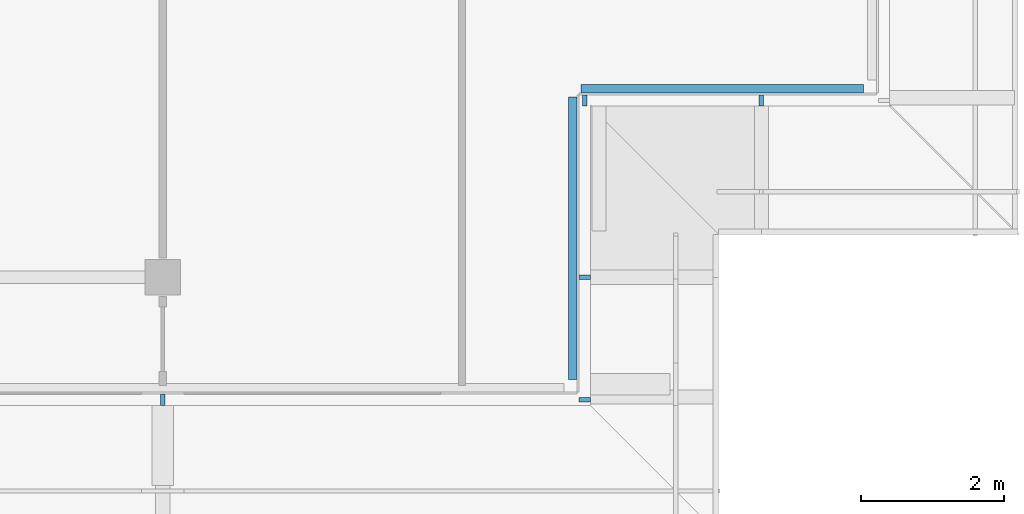
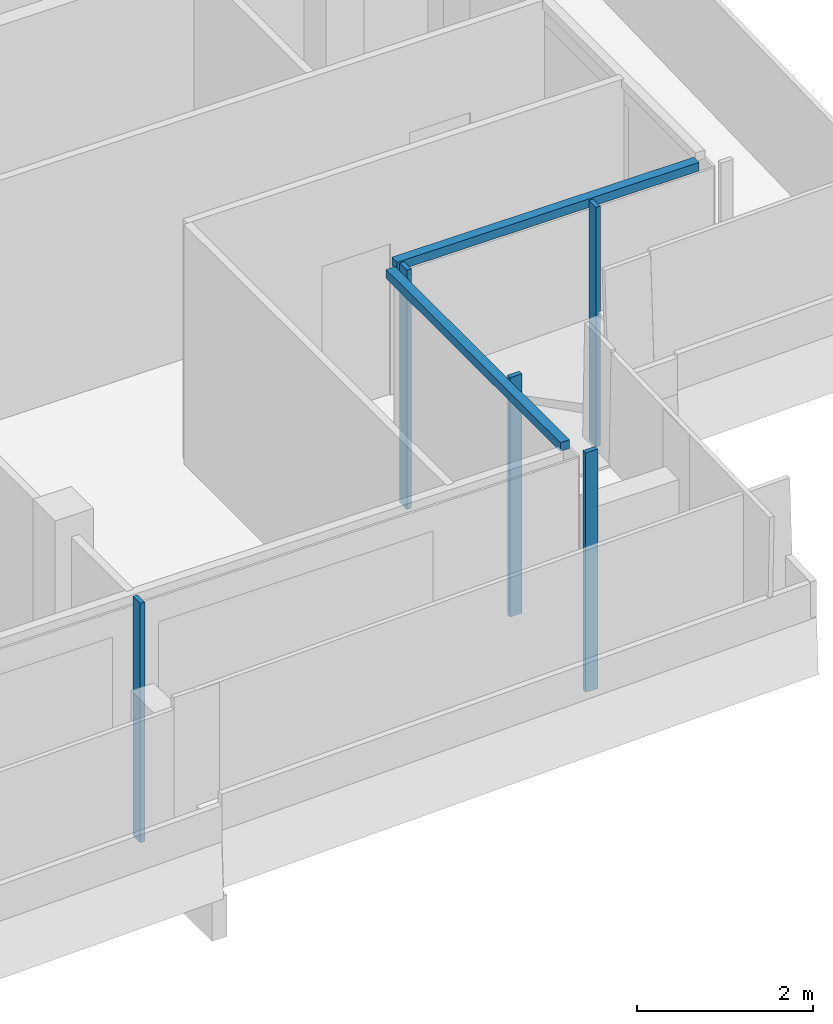
# One storey, part 6 of 26: 7 members, 3 elements without a shape of their own.
"""IFC4 building model written with IfcOpenShell, lengths in metres."""

import ifcopenshell
import ifcopenshell.guid

model = None  # the IFC model being written
_history = None  # IfcOwnerHistory: only IFC2X3 demands one
_inside = {}  # id of a spatial element -> (the spatial element, [elements in it])
_under = {}  # id of a project, library or spatial element -> (it, [spatial elements below it])
_declared = {}  # id of a project -> (the project, [libraries it declares])
_typed = {}  # id of a type object -> (the type object, [elements of that type])
_made_of = {}  # id of a material, layer set ... -> (it, [elements and type objects made of it])


def new_model(schema):
    """Start an empty IFC model of exactly this schema.

    Asked for "IFC4X3", IfcOpenShell would pick the latest addendum, in which some entities
    have other attributes; the version numbers below select the first issue.
    IFC2X3 requires an IfcOwnerHistory on every rooted entity: one is made here for all.
    """
    global model, _history
    if schema == "IFC4X3":
        model = ifcopenshell.file(schema_version=(4, 3, 0, 0))
    else:
        model = ifcopenshell.file(schema=schema)
    _inside.clear()
    _under.clear()
    _declared.clear()
    _typed.clear()
    _made_of.clear()
    _history = None
    if model.schema == "IFC2X3":
        org = make("IfcOrganization", Name="unknown")
        user = make(
            "IfcPersonAndOrganization",
            ThePerson=make("IfcPerson", FamilyName="unknown"),
            TheOrganization=org,
        )
        app = make(
            "IfcApplication",
            ApplicationDeveloper=org,
            Version="unknown",
            ApplicationFullName="unknown",
            ApplicationIdentifier="unknown",
        )
        _history = make(
            "IfcOwnerHistory",
            OwningUser=user,
            OwningApplication=app,
            ChangeAction="ADDED",
            CreationDate=0,
        )
    return model


def make(cls, **values):
    """One entity of the class cls with the attributes given. An attribute that is None is left unset."""
    return model.create_entity(
        cls, **{name: value for name, value in values.items() if value is not None}
    )


def rooted(cls, **values):
    """An entity with a GlobalId (a new one), such as an element, a storey or a relation."""
    return make(cls, GlobalId=ifcopenshell.guid.new(), OwnerHistory=_history, **values)


def si_unit(unit_type, name, prefix=None):
    """IfcSIUnit, for example si_unit("LENGTHUNIT", "METRE", prefix="MILLI")."""
    return make("IfcSIUnit", UnitType=unit_type, Prefix=prefix, Name=name)


def assignment(units):
    """IfcUnitAssignment: the units of a project."""
    return None if units is None else make("IfcUnitAssignment", Units=units)


def point(xyz):
    """IfcCartesianPoint."""
    return None if xyz is None else make("IfcCartesianPoint", Coordinates=xyz)


def direction(xyz):
    """IfcDirection."""
    return None if xyz is None else make("IfcDirection", DirectionRatios=xyz)


def frame(location, z_axis=None, x_axis=None):
    """IfcAxis2Placement3D, a coordinate frame: its origin and axes. An axis left out is left unset."""
    return make(
        "IfcAxis2Placement3D",
        Location=point(location),
        Axis=direction(z_axis),
        RefDirection=direction(x_axis),
    )


def frame_2d(location, x_axis=None):
    """IfcAxis2Placement2D, a coordinate frame in the plane: its origin and x axis."""
    return make(
        "IfcAxis2Placement2D", Location=point(location), RefDirection=direction(x_axis)
    )


def origin():
    """The frame at (0, 0, 0) with its axes left unset."""
    return frame((0.0, 0.0, 0.0))


def origin_2d():
    """The frame at (0, 0) in the plane with its x axis left unset."""
    return frame_2d((0.0, 0.0))


def place(relative_to, where):
    """IfcLocalPlacement: puts the frame where relative to a parent placement (None: the world)."""
    return make(
        "IfcLocalPlacement", PlacementRelTo=relative_to, RelativePlacement=where
    )


def context(
    kind, dimensions, precision=None, world=None, true_north=None, identifier=None
):
    """IfcGeometricRepresentationContext, for example the 3D "Model" context."""
    return make(
        "IfcGeometricRepresentationContext",
        ContextIdentifier=identifier,
        ContextType=kind,
        CoordinateSpaceDimension=dimensions,
        Precision=precision,
        WorldCoordinateSystem=world,
        TrueNorth=true_north,
    )


def subcontext(parent, identifier, kind, view, scale=None):
    """IfcGeometricRepresentationSubContext, for example "Body" below "Model"."""
    return make(
        "IfcGeometricRepresentationSubContext",
        ContextIdentifier=identifier,
        ContextType=kind,
        ParentContext=parent,
        TargetScale=scale,
        TargetView=view,
    )


def project(units=None, contexts=None):
    """IfcProject with its units and contexts."""
    return rooted(
        "IfcProject",
        Name="project",
        RepresentationContexts=contexts,
        UnitsInContext=assignment(units),
    )


def spatial(cls, under=None, at=None, **own):
    """A site, building, storey or space (cls), placed at a placement, below another one or the project."""
    s = rooted(cls, ObjectPlacement=at, **own)
    if under is not None:
        _under.setdefault(under.id(), (under, []))[1].append(s)
    return s


def profile(cls, at=None, kind="AREA", **sizes):
    """A parametric profile (cls). Its sizes go by their IFC names, for example OverallWidth=200.0."""
    return make(cls, ProfileType=kind, Position=at, **sizes)


def rectangle(**sizes):
    """IfcRectangleProfileDef."""
    return profile("IfcRectangleProfileDef", **sizes)


def extrude(swept, where, along, depth):
    """IfcExtrudedAreaSolid: the profile swept, set in the frame where, extruded along a direction by depth."""
    return make(
        "IfcExtrudedAreaSolid",
        SweptArea=swept,
        Position=where,
        ExtrudedDirection=direction(along),
        Depth=depth,
    )


def shape(context_of_items, identifier, shape_type, items):
    """IfcShapeRepresentation: the items that make up one representation, for example the "Body"."""
    return make(
        "IfcShapeRepresentation",
        ContextOfItems=context_of_items,
        RepresentationIdentifier=identifier,
        RepresentationType=shape_type,
        Items=items,
    )


def material(Name=None, Category=None):
    """IfcMaterial."""
    return make("IfcMaterial", Name=Name, Category=Category)


def material_profile(
    of_material, cross_section, Name=None, Category=None, Priority=None
):
    """IfcMaterialProfile: a cross section and its material."""
    return make(
        "IfcMaterialProfile",
        Name=Name,
        Material=of_material,
        Profile=cross_section,
        Priority=Priority,
        Category=Category,
    )


def profile_set(profiles, Name=None, composite=None):
    """IfcMaterialProfileSet."""
    return make(
        "IfcMaterialProfileSet",
        Name=Name,
        MaterialProfiles=profiles,
        CompositeProfile=composite,
    )


def made_of(thing, what):
    """Note that an element or type object is made of a material, layer set ...; save() writes the relation."""
    if what is not None:
        _made_of.setdefault(what.id(), (what, []))[1].append(thing)
    return thing


def type_object(cls, material=None, **own):
    """A type object (cls), such as IfcWallType, which elements share."""
    return made_of(rooted(cls, **own), material)


def element(
    cls,
    number,
    at=None,
    inside=None,
    cuts=None,
    type_object=None,
    material=None,
    context=None,
    identifier="Body",
    shape_type=None,
    held_by="IfcProductDefinitionShape",
    body=None,
    shapes=None,
    **own,
):
    """One element of the class cls, such as IfcWall. Its Tag is "e" and its number.

    at: its placement. inside: the storey or other place that contains it. cuts: it is an
    opening in that element (IfcRelVoidsElement). A single representation is given by context,
    identifier, shape_type and body (its items); several are given by shapes. held_by: the class
    of the entity that holds the representations. save() writes the other relations.
    """
    e = rooted(cls, Tag="e%d" % number, ObjectPlacement=at, **own)
    if body is not None:
        shapes = [shape(context, identifier, shape_type, body)]
    if shapes is not None:
        e.Representation = make(held_by, Representations=shapes)
    if inside is not None:
        _inside.setdefault(inside.id(), (inside, []))[1].append(e)
    if cuts is not None:
        rooted(
            "IfcRelVoidsElement", RelatingBuildingElement=cuts, RelatedOpeningElement=e
        )
    if type_object is not None:
        _typed.setdefault(type_object.id(), (type_object, []))[1].append(e)
    return made_of(e, material)


def aggregate(whole, parts):
    """IfcRelAggregates: a whole, such as a stair, and the parts it consists of."""
    return rooted("IfcRelAggregates", RelatingObject=whole, RelatedObjects=parts)


def save(model, path):
    """Write the relations noted so far, then the file.

    IfcRelAggregates (storeys below a building ...), IfcRelContainedInSpatialStructure (elements
    in a storey), IfcRelDefinesByType, IfcRelAssociatesMaterial and IfcRelDeclares: one each for
    every whole, place, type object, material and project.
    """
    for whole, parts in _under.values():
        aggregate(whole, parts)
    for where, things in _inside.values():
        rooted(
            "IfcRelContainedInSpatialStructure",
            RelatedElements=things,
            RelatingStructure=where,
        )
    for kind, things in _typed.values():
        rooted("IfcRelDefinesByType", RelatedObjects=things, RelatingType=kind)
    for what, things in _made_of.values():
        rooted("IfcRelAssociatesMaterial", RelatedObjects=things, RelatingMaterial=what)
    for by, libraries in _declared.values():
        rooted("IfcRelDeclares", RelatingContext=by, RelatedDefinitions=libraries)
    model.write(path)


model = new_model("IFC4")

# Units and contexts
model_context = context("Model", 3, precision=1e-05, world=origin(), true_north=direction((0.0, 1.0)))
body_context = subcontext(model_context, "Body", "Model", "MODEL_VIEW")
ifc_project = project(units=[si_unit("LENGTHUNIT", "METRE"), si_unit("AREAUNIT", "SQUARE_METRE"), si_unit("VOLUMEUNIT", "CUBIC_METRE"), si_unit("PLANEANGLEUNIT", "RADIAN"), si_unit("MASSUNIT", "GRAM", prefix="KILO")], contexts=[model_context])

# Site, building, storey
site_placement = place(None, origin())
site = spatial("IfcSite", under=ifc_project, at=site_placement, CompositionType="ELEMENT")
building_placement = place(site_placement, origin())
building = spatial("IfcBuilding", under=site, at=building_placement, Name="Saffron Gate Tower", CompositionType="ELEMENT")
storey_placement = place(building_placement, frame((0.0, 0.0, 277.949951171875)))
storey = spatial("IfcBuildingStorey", under=building, at=storey_placement, Name="L67", CompositionType="ELEMENT", Elevation=277.949951171875)

# Curtain wall, member
ifc_material = material(Name="Aluminium, bronze anodised", Category="aluminium")
curtain_wall_type_1 = type_object("IfcCurtainWallType", Name="CWS1 curtain wall front facade", PredefinedType="NOTDEFINED", material=ifc_material)
curtain_wall_1_placement = place(storey_placement, origin())
curtain_wall_1 = element("IfcCurtainWall", 1, at=curtain_wall_1_placement, inside=storey, type_object=curtain_wall_type_1, Name="CWS1 run 1", PredefinedType="NOTDEFINED")
ifc_material_profile_1 = material_profile(ifc_material, rectangle(XDim=0.159912109375, YDim=0.06005859375, at=origin_2d()))
ifc_profile_set_1 = profile_set([ifc_material_profile_1], Name="Aluminium, bronze anodised")
member_type_1 = type_object("IfcMemberType", Name="CWS1 mullion 60x160", PredefinedType="MULLION", material=ifc_profile_set_1)
member_1_placement = place(storey_placement, frame((108.60009765625, 30.080078125, 0.0), z_axis=(0.0, 0.0, 1.0), x_axis=(0.0, 1.0, 0.0)))
member_1 = element("IfcMember", 2, at=member_1_placement, type_object=member_type_1, Name="CWS1 mullion 7", PredefinedType="MULLION", context=body_context, shape_type="SweptSolid", body=[
    extrude(rectangle(XDim=0.159912109375, YDim=0.06005859375, at=origin_2d()), origin(), (0.0, 0.0, 1.0), 3.320068359375),
])
aggregate(curtain_wall_1, [member_1])

curtain_wall_type_2 = type_object("IfcCurtainWallType", Name="CWS4 curtain wall corner returns", PredefinedType="NOTDEFINED", material=ifc_material)
curtain_wall_2_placement = place(storey_placement, origin())
curtain_wall_2 = element("IfcCurtainWall", 3, at=curtain_wall_2_placement, inside=storey, type_object=curtain_wall_type_2, Name="CWS4 run 2", PredefinedType="NOTDEFINED")
ifc_material_profile_2 = material_profile(ifc_material, rectangle(XDim=0.1201171875, YDim=0.1201171875, at=origin_2d()))
ifc_profile_set_2 = profile_set([ifc_material_profile_2], Name="Aluminium, bronze anodised")
member_type_2 = type_object("IfcMemberType", Name="CWS4 head transom", PredefinedType="USERDEFINED", material=ifc_profile_set_2)
member_2_placement = place(storey_placement, frame((114.35205078125, 30.367919921875, 3.260009765625), z_axis=(0.0, 1.0, 0.0), x_axis=(-1.0, 0.0, 0.0)))
member_2 = element("IfcMember", 4, at=member_2_placement, type_object=member_type_2, Name="CWS4 head transom", ObjectType="TRANSOM", PredefinedType="USERDEFINED", context=body_context, shape_type="SweptSolid", body=[
    extrude(rectangle(XDim=0.1201171875, YDim=0.1201171875, at=origin_2d()), origin(), (0.0, 0.0, 1.0), 3.9599609375),
])

curtain_wall_3_placement = place(storey_placement, origin())
curtain_wall_3 = element("IfcCurtainWall", 5, at=curtain_wall_3_placement, inside=storey, type_object=curtain_wall_type_2, Name="CWS4 run 3", PredefinedType="NOTDEFINED")
member_3_placement = place(storey_placement, frame((114.471923828125, 34.447998046875, 3.260009765625), z_axis=(1.0, 0.0, 0.0), x_axis=(0.0, 1.0, 0.0)))
member_3 = element("IfcMember", 6, at=member_3_placement, type_object=member_type_2, Name="CWS4 head transom", ObjectType="TRANSOM", PredefinedType="USERDEFINED", context=body_context, shape_type="SweptSolid", body=[
    extrude(rectangle(XDim=0.1201171875, YDim=0.1201171875, at=origin_2d()), origin(), (0.0, 0.0, 1.0), 3.9599609375),
])

# Member
ifc_material_profile_3 = material_profile(ifc_material, rectangle(XDim=0.159912109375, YDim=0.06005859375, at=origin_2d()))
ifc_profile_set_3 = profile_set([ifc_material_profile_3], Name="Aluminium, bronze anodised")
member_type_3 = type_object("IfcMemberType", Name="CWS4 mullion 60x160", PredefinedType="MULLION", material=ifc_profile_set_3)
member_4_placement = place(storey_placement, frame((114.52001953125, 30.080078125, 0.0), z_axis=(0.0, 0.0, 1.0), x_axis=(-1.0, 0.0, 0.0)))
member_4 = element("IfcMember", 7, at=member_4_placement, type_object=member_type_3, Name="CWS4 mullion 1", PredefinedType="MULLION", context=body_context, shape_type="SweptSolid", body=[
    extrude(rectangle(XDim=0.159912109375, YDim=0.06005859375, at=origin_2d()), origin(), (0.0, 0.0, 1.0), 3.320068359375),
])

member_5_placement = place(storey_placement, frame((114.52001953125, 31.800048828125, 0.0), z_axis=(0.0, 0.0, 1.0), x_axis=(-1.0, 0.0, 0.0)))
member_5 = element("IfcMember", 8, at=member_5_placement, type_object=member_type_3, Name="CWS4 mullion 2", PredefinedType="MULLION", context=body_context, shape_type="SweptSolid", body=[
    extrude(rectangle(XDim=0.159912109375, YDim=0.06005859375, at=origin_2d()), origin(), (0.0, 0.0, 1.0), 3.320068359375),
])

aggregate(curtain_wall_2, [member_4, member_5, member_2])

member_6_placement = place(storey_placement, frame((114.52001953125, 34.280029296875, 0.0), z_axis=(0.0, 0.0, 1.0), x_axis=(0.0, 1.0, 0.0)))
member_6 = element("IfcMember", 9, at=member_6_placement, type_object=member_type_3, Name="CWS4 mullion 1", PredefinedType="MULLION", context=body_context, shape_type="SweptSolid", body=[
    extrude(rectangle(XDim=0.159912109375, YDim=0.06005859375, at=origin_2d()), origin(), (0.0, 0.0, 1.0), 3.320068359375),
])

member_7_placement = place(storey_placement, frame((117.0, 34.280029296875, 0.0), z_axis=(0.0, 0.0, 1.0), x_axis=(0.0, 1.0, 0.0)))
member_7 = element("IfcMember", 10, at=member_7_placement, type_object=member_type_3, Name="CWS4 mullion 2", PredefinedType="MULLION", context=body_context, shape_type="SweptSolid", body=[
    extrude(rectangle(XDim=0.159912109375, YDim=0.06005859375, at=origin_2d()), origin(), (0.0, 0.0, 1.0), 3.320068359375),
])

aggregate(curtain_wall_3, [member_6, member_7, member_3])

save(model, "model.ifc")
